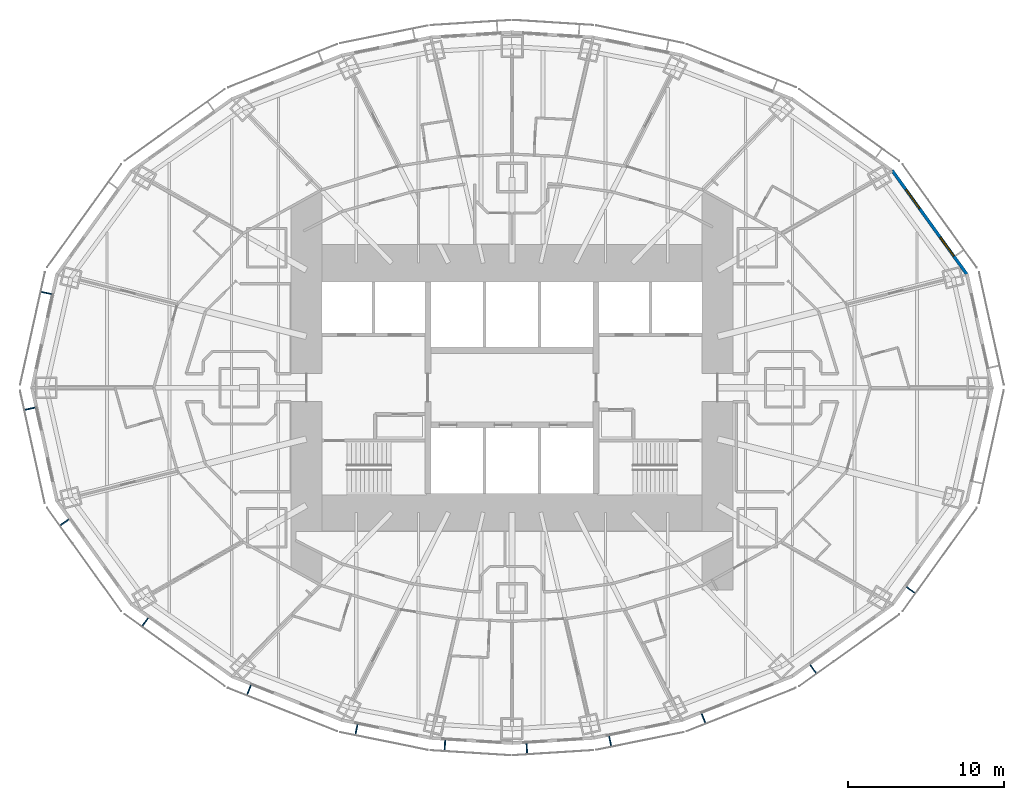
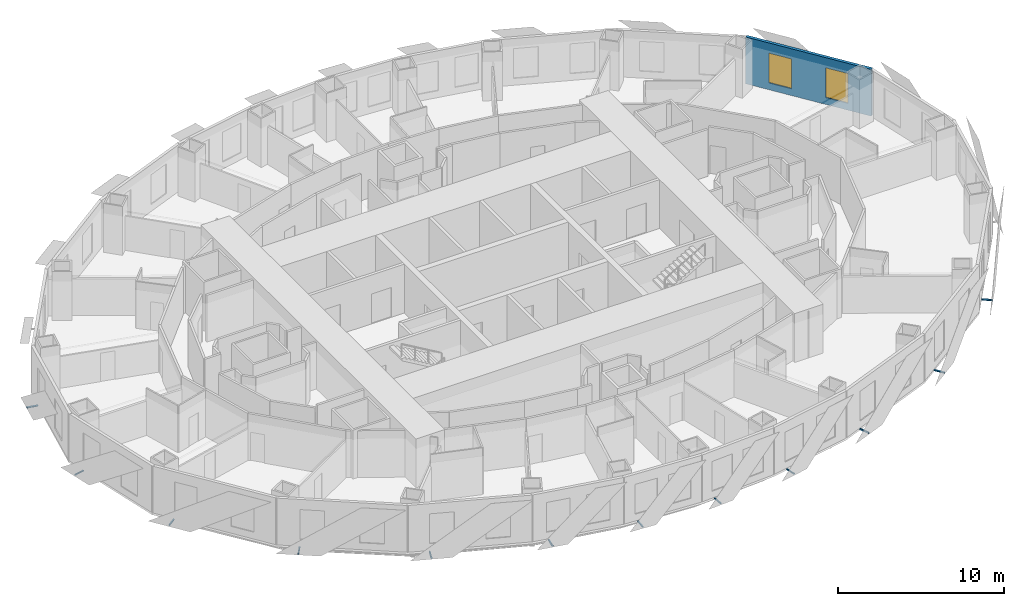
# One storey, part 11 of 15: 12 discrete accessories, 2 windows, 1 wall, 2 openings.
"""IFC4 building model written with IfcOpenShell, lengths in metres."""

from ifc_helpers import new_model, si_unit, direction, frame, frame_2d, origin, origin_2d, place, context, subcontext, project, spatial, rectangle, extrude, material, layer, layer_set, type_object, element, fill, save


model = new_model("IFC4")

# Units and contexts
model_context = context("Model", 3, precision=1e-05, world=origin(), true_north=direction((0.0, 1.0)))
body_context = subcontext(model_context, "Body", "Model", "MODEL_VIEW")
ifc_project = project(units=[si_unit("LENGTHUNIT", "METRE"), si_unit("AREAUNIT", "SQUARE_METRE"), si_unit("VOLUMEUNIT", "CUBIC_METRE"), si_unit("PLANEANGLEUNIT", "RADIAN"), si_unit("MASSUNIT", "GRAM", prefix="KILO")], contexts=[model_context])

# Site, building, storey
site_placement = place(None, origin())
site = spatial("IfcSite", under=ifc_project, at=site_placement, CompositionType="ELEMENT")
building_placement = place(site_placement, origin())
building = spatial("IfcBuilding", under=site, at=building_placement, Name="Lantaw Convention Tower", CompositionType="ELEMENT")
storey_placement = place(building_placement, frame((0.0, 0.0, 98.199951171875)))
storey = spatial("IfcBuildingStorey", under=building, at=storey_placement, Name="L23", CompositionType="ELEMENT", Elevation=98.199951171875)

# Wall, openings, windows
ifc_material_1 = material(Name="Insulated aluminium panel on steel frame", Category="steel")
ifc_layer = layer(ifc_material_1, 0.199951171875)
ifc_layer_set = layer_set([ifc_layer], Name="External wall 200")
wall_type = type_object("IfcWallType", Name="External wall 200", PredefinedType="SOLIDWALL", material=ifc_layer_set)
wall_placement = place(storey_placement, frame((29.260498046875, 7.199951171875, 0.0), z_axis=(0.0, 0.0, 1.0), x_axis=(-0.583937613703, 0.811798536155, 0.0)))
wall = element("IfcWall", 1, at=wall_placement, inside=storey, type_object=wall_type, Name="Facade panel wall", PredefinedType="SOLIDWALL", context=body_context, shape_type="SweptSolid", body=[
    extrude(rectangle(XDim=8.322998046875, YDim=0.199951171875, at=frame_2d((4.16162109375, 0.0))), origin(), (0.0, 0.0, 1.0), 3.449951171875),
])
opening_1_placement = place(wall_placement, frame((1.53076171875, 0.0, 0.5)))
opening_1 = element("IfcOpeningElement", 2, at=opening_1_placement, cuts=wall, Name="Opening W2", PredefinedType="OPENING", context=body_context, shape_type="SweptSolid", body=[
    extrude(rectangle(XDim=1.5, YDim=2.199951171875, at=frame_2d((0.75, 1.10009765625))), frame((0.0, 0.10986328125, 0.0), z_axis=(0.0, -1.0, 0.0), x_axis=(1.0, 0.0, 0.0)), (0.0, 0.0, 1.0), 0.219970703125),
])
opening_2_placement = place(wall_placement, frame((5.292236328125, 0.0, 0.5)))
opening_2 = element("IfcOpeningElement", 3, at=opening_2_placement, cuts=wall, Name="Opening W2", PredefinedType="OPENING", context=body_context, shape_type="SweptSolid", body=[
    extrude(rectangle(XDim=1.5, YDim=2.199951171875, at=frame_2d((0.75, 1.10009765625))), frame((0.0, 0.10986328125, 0.0), z_axis=(0.0, -1.0, 0.0), x_axis=(1.0, 0.0, 0.0)), (0.0, 0.0, 1.0), 0.219970703125),
])
ifc_material_2 = material(Name="Aluminium frame, clear insulating glass", Category="aluminium")
window_type = type_object("IfcWindowType", Name="Suite window 1500x2200", PartitioningType="SINGLE_PANEL", PredefinedType="WINDOW", material=ifc_material_2)
window_1_placement = place(opening_1_placement, origin())
window_1 = element("IfcWindow", 4, at=window_1_placement, inside=storey, type_object=window_type, Name="Guest room window", OverallHeight=2.199951171875, OverallWidth=1.5, PartitioningType="SINGLE_PANEL", PredefinedType="WINDOW", context=body_context, shape_type="SweptSolid", body=[
    extrude(rectangle(XDim=1.5, YDim=2.199951171875, at=frame_2d((0.75, 1.10009765625))), frame((0.0, 0.030029296875, 0.0), z_axis=(0.0, -1.0, 0.0), x_axis=(1.0, 0.0, 0.0)), (0.0, 0.0, 1.0), 0.06005859375),
])
fill(opening_1, window_1)
window_2_placement = place(opening_2_placement, origin())
window_2 = element("IfcWindow", 5, at=window_2_placement, inside=storey, type_object=window_type, Name="Guest room window", OverallHeight=2.199951171875, OverallWidth=1.5, PartitioningType="SINGLE_PANEL", PredefinedType="WINDOW", context=body_context, shape_type="SweptSolid", body=[
    extrude(rectangle(XDim=1.5, YDim=2.199951171875, at=frame_2d((0.75, 1.10009765625))), frame((0.0, 0.030029296875, 0.0), z_axis=(0.0, -1.0, 0.0), x_axis=(1.0, 0.0, 0.0)), (0.0, 0.0, 1.0), 0.06005859375),
])
fill(opening_2, window_2)

# Discrete accessories
for number, where, z_axis, x_axis, name in (
    (6, (-29.92333984375, 6.087890625, -0.114990234375), (0.0, 0.0, 1.0), (-0.215246056391, -0.976559847223, 0.0), "Screen bracket"),
    (7, (-30.967529296875, -1.35009765625, -0.114990234375), (0.0, 0.0, 1.0), (0.215246056391, -0.976559847223, 0.0), "Screen bracket"),
    (8, (-28.745849609375, -8.65869140625, -0.114990234375), (0.0, 0.0, 1.0), (0.583951250436, -0.811788726895, 0.0), "Screen bracket"),
    (9, (-23.564453125, -15.06640625, -0.114990234375), (0.0, 0.0, 1.0), (0.812803733199, -0.5825376308, 0.0), "Screen bracket"),
    (10, (-16.898193359375, -19.4345703125, -0.114990234375), (0.0, 0.0, 1.0), (0.929361152748, -0.369171840425, 0.0), "Screen bracket"),
    (11, (-9.990478515625, -21.974365234375, -0.114990234375), (0.0, 0.0, 1.0), (0.980244604501, -0.197789067813, 0.0), "Screen bracket"),
    (12, (-4.310302734375, -22.987548828125, -0.114990234375), (0.0, 0.0, 1.0), (0.998016153807, -0.062958373078, 0.0), "Screen bracket"),
    (13, (0.9560546875, -23.19921875, -0.114990234375), (0.0, 0.0, 1.0), (0.998016153807, 0.062958373078, 0.0), "Screen bracket"),
    (14, (6.307861328125, -22.71728515625, -0.114990234375), (0.0, 0.0, 1.0), (0.980244604501, 0.197789067813, 0.0), "Screen bracket"),
    (15, (12.309814453125, -21.25732421875, -0.114990234375), (0.0, 0.0, 1.0), (0.929361152748, 0.369171840425, 0.0), "Screen bracket"),
    (16, (19.352294921875, -18.085205078125, -0.114990234375), (0.0, 0.0, 1.0), (0.812803733199, 0.5825376308, 0.0), "Screen bracket"),
    (17, (25.61962890625, -13.004638671875, -0.114990234375), (0.0, 0.0, 1.0), (0.583951250436, 0.811788726895, 0.0), "Screen bracket"),
):
    element("IfcDiscreteAccessory", number, at=place(storey_placement, frame(where, z_axis=z_axis, x_axis=x_axis)), inside=storey, Name=name, PredefinedType="BRACKET", context=body_context, shape_type="SweptSolid", body=[
        extrude(rectangle(XDim=0.080078125, YDim=0.68798828125, at=origin_2d()), origin(), (0.0, 0.0, 1.0), 0.080078125),
    ])

save(model, "model.ifc")
